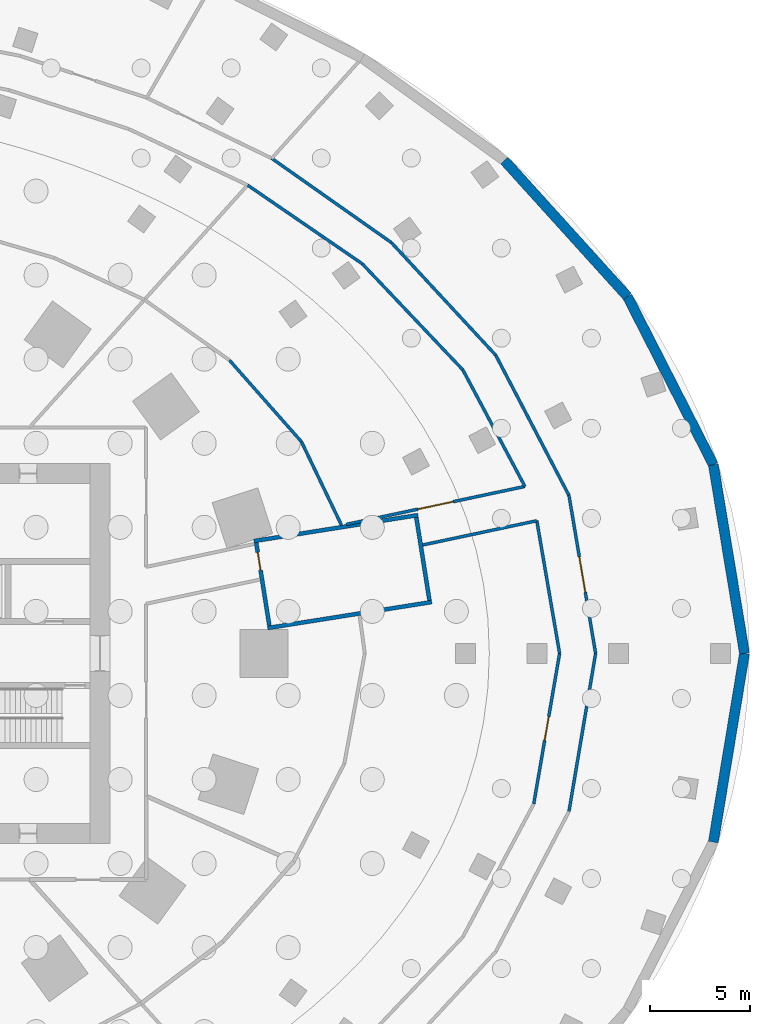
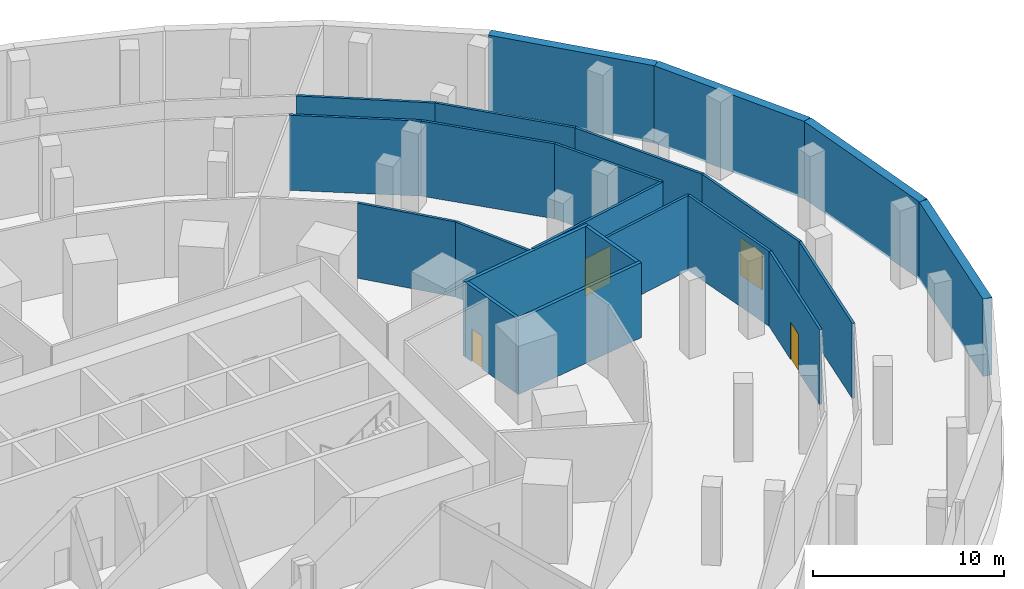
# One storey, part 8 of 11: 22 walls, 4 doors, 4 openings.
"""IFC4 building model written with IfcOpenShell, lengths in metres."""

from ifc_helpers import new_model, si_unit, direction, frame, frame_2d, origin, place, context, subcontext, project, spatial, rectangle, extrude, material, layer, layer_set, type_object, element, fill, save


model = new_model("IFC4")

# Units and contexts
model_context = context("Model", 3, precision=1e-05, world=origin(), true_north=direction((0.0, 1.0)))
body_context = subcontext(model_context, "Body", "Model", "MODEL_VIEW")
ifc_project = project(units=[si_unit("LENGTHUNIT", "METRE"), si_unit("AREAUNIT", "SQUARE_METRE"), si_unit("VOLUMEUNIT", "CUBIC_METRE"), si_unit("PLANEANGLEUNIT", "RADIAN"), si_unit("MASSUNIT", "GRAM", prefix="KILO")], contexts=[model_context])

# Site, building, storey
site_placement = place(None, origin())
site = spatial("IfcSite", under=ifc_project, at=site_placement, CompositionType="ELEMENT")
building_placement = place(site_placement, origin())
building = spatial("IfcBuilding", under=site, at=building_placement, Name="Marramba Exchange Tower", CompositionType="ELEMENT")
storey_placement = place(building_placement, frame((0.0, 0.0, -5.0)))
storey = spatial("IfcBuildingStorey", under=building, at=storey_placement, Name="B1", CompositionType="ELEMENT", Elevation=-5.0)

# Walls
ifc_material_1 = material(Name="Concrete N50", Category="concrete")
ifc_layer_1 = layer(ifc_material_1, 0.5)
ifc_layer_set_1 = layer_set([ifc_layer_1], Name="Basement retaining wall 500")
wall_type_1 = type_object("IfcWallType", Name="Basement retaining wall 500", PredefinedType="SOLIDWALL", material=ifc_layer_set_1)
wall_1_placement = place(storey_placement, frame((45.89990234375, 0.0, -0.14990234375), z_axis=(0.0, 0.0, 1.0), x_axis=(-0.162765943093, 0.98666470889, 0.0)))
element("IfcWall", 1, at=wall_1_placement, inside=storey, type_object=wall_type_1, Name="Retaining wall RW1-01", PredefinedType="SOLIDWALL", context=body_context, shape_type="SweptSolid", body=[
    extrude(rectangle(XDim=9.55322265625, YDim=0.5, at=frame_2d((4.776611328125, 0.0))), origin(), (0.0, 0.0, 1.0), 4.949951171875),
])
wall_2_placement = place(storey_placement, frame((44.344970703125, 9.42578125, -0.14990234375), z_axis=(0.0, 0.0, 1.0), x_axis=(-0.454801599968, 0.890592782739, 0.0)))
element("IfcWall", 2, at=wall_2_placement, inside=storey, type_object=wall_type_1, Name="Retaining wall RW1-02", PredefinedType="SOLIDWALL", context=body_context, shape_type="SweptSolid", body=[
    extrude(rectangle(XDim=9.439208984375, YDim=0.5, at=frame_2d((4.7197265625, 0.0))), origin(), (0.0, 0.0, 1.0), 4.949951171875),
])
wall_3_placement = place(storey_placement, frame((40.052001953125, 17.832275390625, -0.14990234375), z_axis=(0.0, 0.0, 1.0), x_axis=(-0.670913323969, 0.741535779124, 0.0)))
element("IfcWall", 3, at=wall_3_placement, inside=storey, type_object=wall_type_1, Name="Retaining wall RW1-03", PredefinedType="SOLIDWALL", context=body_context, shape_type="SweptSolid", body=[
    extrude(rectangle(XDim=9.16796875, YDim=0.5, at=frame_2d((4.583984375, 0.0))), origin(), (0.0, 0.0, 1.0), 4.949951171875),
])
wall_4_placement = place(storey_placement, frame((44.344970703125, -9.42578125, -0.14990234375), z_axis=(0.0, 0.0, 1.0), x_axis=(0.162765943093, 0.98666470889, 0.0)))
element("IfcWall", 4, at=wall_4_placement, inside=storey, type_object=wall_type_1, Name="Retaining wall RW1-30", PredefinedType="SOLIDWALL", context=body_context, shape_type="SweptSolid", body=[
    extrude(rectangle(XDim=9.55322265625, YDim=0.5, at=frame_2d((4.776611328125, 0.0))), origin(), (0.0, 0.0, 1.0), 4.949951171875),
])
ifc_material_2 = material(Name="Concrete N40", Category="concrete")
ifc_layer_2 = layer(ifc_material_2, 0.199951171875)
ifc_layer_set_2 = layer_set([ifc_layer_2], Name="Stair core wall 200 N40")
wall_type_2 = type_object("IfcWallType", Name="Stair core wall 200 N40", PredefinedType="SOLIDWALL", material=ifc_layer_set_2)
for number, where, z_axis, x_axis, name in (
    (5, (22.0732421875, 1.2685546875, 0.0), (0.0, 0.0, 1.0), (0.987684853285, 0.156456481465, 0.0), "Stair core wall ST4 B1 S"),
    (6, (21.385009765625, 5.614501953125, 0.0), (0.0, 0.0, 1.0), (0.987689398324, 0.156427786655, 0.0), "Stair core wall ST4 B1 N"),
):
    element("IfcWall", number, at=place(storey_placement, frame(where, z_axis=z_axis, x_axis=x_axis)), inside=storey, type_object=wall_type_2, Name=name, PredefinedType="SOLIDWALL", context=body_context, shape_type="SweptSolid", body=[
        extrude(rectangle(XDim=8.300048828125, YDim=0.199951171875, at=frame_2d((4.14990234375, 0.0))), origin(), (0.0, 0.0, 1.0), 4.800048828125),
    ])

# Wall, opening, door
wall_5_placement = place(storey_placement, frame((22.156494140625, 1.383056640625, 0.0), z_axis=(0.0, 0.0, 1.0), x_axis=(-0.156428225752, 0.987689328781, 0.0)))
wall_5 = element("IfcWall", 7, at=wall_5_placement, inside=storey, type_object=wall_type_2, Name="Stair core wall ST4 B1 W", PredefinedType="SOLIDWALL", context=body_context, shape_type="SweptSolid", body=[
    extrude(rectangle(XDim=4.199951171875, YDim=0.199951171875, at=frame_2d((2.10009765625, 0.0))), origin(), (0.0, 0.0, 1.0), 4.800048828125),
])
opening_1_placement = place(wall_5_placement, frame((2.81005859375, 0.0, 0.0)))
opening_1 = element("IfcOpeningElement", 8, at=opening_1_placement, cuts=wall_5, Name="Opening D5", PredefinedType="OPENING", context=body_context, shape_type="SweptSolid", body=[
    extrude(rectangle(XDim=0.89990234375, YDim=2.10009765625, at=frame_2d((0.449951171875, 1.050048828125))), frame((0.0, 0.10986328125, 0.0), z_axis=(0.0, -1.0, 0.0), x_axis=(1.0, 0.0, 0.0)), (0.0, 0.0, 1.0), 0.219970703125),
])
ifc_material_3 = material(Name="Steel-framed door", Category="steel")
door_type_1 = type_object("IfcDoorType", Name="Service door 900x2100", OperationType="SINGLE_SWING_LEFT", PredefinedType="DOOR", material=ifc_material_3)
door_1_placement = place(opening_1_placement, frame((0.89990234375, 0.0, 0.0), z_axis=(0.0, 0.0, 1.0), x_axis=(-1.0, 0.0, 0.0)))
door_1 = element("IfcDoor", 9, at=door_1_placement, inside=storey, type_object=door_type_1, Name="D5 ST4 base store B1", OperationType="SINGLE_SWING_LEFT", OverallHeight=2.10009765625, OverallWidth=0.89990234375, PredefinedType="DOOR", context=body_context, shape_type="SweptSolid", body=[
    extrude(rectangle(XDim=0.89990234375, YDim=2.10009765625, at=frame_2d((0.449951171875, 1.050048828125))), frame((0.0, 0.025146484375, 0.0), z_axis=(0.0, -1.0, 0.0), x_axis=(1.0, 0.0, 0.0)), (0.0, 0.0, 1.0), 0.050048828125),
])
fill(opening_1, door_1)

# Walls
wall_6_placement = place(storey_placement, frame((30.15673828125, 2.650146484375, 0.0), z_axis=(0.0, 0.0, 1.0), x_axis=(-0.156419245009, 0.987690751091, 0.0)))
element("IfcWall", 10, at=wall_6_placement, inside=storey, type_object=wall_type_2, Name="Stair core wall ST4 B1 E", PredefinedType="SOLIDWALL", context=body_context, shape_type="SweptSolid", body=[
    extrude(rectangle(XDim=4.2001953125, YDim=0.199951171875, at=frame_2d((2.10009765625, 0.0))), origin(), (0.0, 0.0, 1.0), 4.800048828125),
])
ifc_material_4 = material(Name="Fire-rated plasterboard on steel studs, acoustic insulation", Category="steel")
ifc_layer_3 = layer(ifc_material_4, 0.14990234375)
ifc_layer_set_3 = layer_set([ifc_layer_3], Name="Tenancy wall 150")
wall_type_3 = type_object("IfcWallType", Name="Tenancy wall 150", PredefinedType="PARTITIONING", material=ifc_layer_set_3)
wall_7_placement = place(storey_placement, frame((37.12939453125, -7.89208984375, 0.0), z_axis=(0.0, 0.0, 1.0), x_axis=(0.166248746184, 0.986083847547, 0.0)))
element("IfcWall", 11, at=wall_7_placement, inside=storey, type_object=wall_type_3, Name="Tenancy wall B1 61", PredefinedType="PARTITIONING", context=body_context, shape_type="SweptSolid", body=[
    extrude(rectangle(XDim=8.00341796875, YDim=0.14990234375, at=frame_2d((4.001708984375, 0.0))), origin(), (0.0, 0.0, 1.0), 4.800048828125),
])

# Wall, opening, door
wall_8_placement = place(storey_placement, frame((36.659912109375, 0.0, 0.0), z_axis=(0.0, 0.0, 1.0), x_axis=(-0.169280949776, -0.985567836348, 0.0)))
wall_8 = element("IfcWall", 12, at=wall_8_placement, inside=storey, type_object=wall_type_3, Name="Tenancy wall B1 62", PredefinedType="PARTITIONING", context=body_context, shape_type="SweptSolid", body=[
    extrude(rectangle(XDim=7.6279296875, YDim=0.14990234375, at=frame_2d((3.81396484375, 0.0))), origin(), (0.0, 0.0, 1.0), 4.800048828125),
])
opening_2_placement = place(wall_8_placement, frame((3.214111328125, 0.0, 0.0)))
opening_2 = element("IfcOpeningElement", 13, at=opening_2_placement, cuts=wall_8, Name="Opening D13", PredefinedType="OPENING", context=body_context, shape_type="SweptSolid", body=[
    extrude(rectangle(XDim=1.199951171875, YDim=2.39990234375, at=frame_2d((0.60009765625, 1.199951171875))), frame((0.0, 0.0849609375, 0.0), z_axis=(0.0, -1.0, 0.0), x_axis=(1.0, 0.0, 0.0)), (0.0, 0.0, 1.0), 0.169921875),
])
door_type_2 = type_object("IfcDoorType", Name="Tenancy entry door 1200x2400", OperationType="SINGLE_SWING_LEFT", PredefinedType="DOOR", material=ifc_material_3)
door_2_placement = place(opening_2_placement, origin())
door_2 = element("IfcDoor", 14, at=door_2_placement, inside=storey, type_object=door_type_2, Name="D13 Tenant Storage 4 B1", OperationType="SINGLE_SWING_LEFT", OverallHeight=2.39990234375, OverallWidth=1.199951171875, PredefinedType="DOOR", context=body_context, shape_type="SweptSolid", body=[
    extrude(rectangle(XDim=1.199951171875, YDim=2.39990234375, at=frame_2d((0.60009765625, 1.199951171875))), frame((0.0, 0.02490234375, 0.0), z_axis=(0.0, -1.0, 0.0), x_axis=(1.0, 0.0, 0.0)), (0.0, 0.0, 1.0), 0.050048828125),
])
fill(opening_2, door_2)

# Wall
wall_9_placement = place(storey_placement, frame((35.521240234375, 6.630126953125, 0.0), z_axis=(0.0, 0.0, 1.0), x_axis=(0.16926398277, -0.985570750447, 0.0)))
element("IfcWall", 15, at=wall_9_placement, inside=storey, type_object=wall_type_3, Name="Tenancy wall B1 65", PredefinedType="PARTITIONING", context=body_context, shape_type="SweptSolid", body=[
    extrude(rectangle(XDim=6.727294921875, YDim=0.14990234375, at=frame_2d((3.36376953125, 0.0))), origin(), (0.0, 0.0, 1.0), 4.800048828125),
])

# Wall, opening, door
wall_10_placement = place(storey_placement, frame((38.4599609375, 0.0, 0.0), z_axis=(0.0, 0.0, 1.0), x_axis=(-0.166248746184, 0.986083847547, 0.0)))
wall_10 = element("IfcWall", 16, at=wall_10_placement, inside=storey, type_object=wall_type_3, Name="Tenancy wall B1 66", PredefinedType="PARTITIONING", context=body_context, shape_type="SweptSolid", body=[
    extrude(rectangle(XDim=8.00341796875, YDim=0.14990234375, at=frame_2d((4.001708984375, 0.0))), origin(), (0.0, 0.0, 1.0), 4.800048828125),
])
opening_3_placement = place(wall_10_placement, frame((3.10205078125, 0.0, 0.0)))
opening_3 = element("IfcOpeningElement", 17, at=opening_3_placement, cuts=wall_10, Name="Opening D18", PredefinedType="OPENING", context=body_context, shape_type="SweptSolid", body=[
    extrude(rectangle(XDim=1.800048828125, YDim=2.39990234375, at=frame_2d((0.89990234375, 1.199951171875))), frame((0.0, 0.0849609375, 0.0), z_axis=(0.0, -1.0, 0.0), x_axis=(1.0, 0.0, 0.0)), (0.0, 0.0, 1.0), 0.169921875),
])
door_type_3 = type_object("IfcDoorType", Name="Door pair 1800x2400", OperationType="DOUBLE_DOOR_SINGLE_SWING", PredefinedType="DOOR", material=ifc_material_3)
door_3_placement = place(opening_3_placement, origin())
door_3 = element("IfcDoor", 18, at=door_3_placement, inside=storey, type_object=door_type_3, Name="D18 Bicycle Store B1", OperationType="DOUBLE_DOOR_SINGLE_SWING", OverallHeight=2.39990234375, OverallWidth=1.800048828125, PredefinedType="DOOR", context=body_context, shape_type="SweptSolid", body=[
    extrude(rectangle(XDim=1.800048828125, YDim=2.39990234375, at=frame_2d((0.89990234375, 1.199951171875))), frame((0.0, 0.02490234375, 0.0), z_axis=(0.0, -1.0, 0.0), x_axis=(1.0, 0.0, 0.0)), (0.0, 0.0, 1.0), 0.050048828125),
])
fill(opening_3, door_3)

# Wall
wall_11_placement = place(storey_placement, frame((29.819580078125, 5.418212890625, 0.0), z_axis=(0.0, 0.0, 1.0), x_axis=(0.97814799205, 0.207909849813, 0.0)))
element("IfcWall", 19, at=wall_11_placement, inside=storey, type_object=wall_type_3, Name="Tenancy wall B1 68", PredefinedType="PARTITIONING", context=body_context, shape_type="SweptSolid", body=[
    extrude(rectangle(XDim=5.8291015625, YDim=0.14990234375, at=frame_2d((2.91455078125, 0.0))), origin(), (0.0, 0.0, 1.0), 4.800048828125),
])

# Wall, opening, door
wall_12_placement = place(storey_placement, frame((34.92822265625, 8.344482421875, 0.0), z_axis=(0.0, 0.0, 1.0), x_axis=(-0.978145998804, -0.207919227161, 0.0)))
wall_12 = element("IfcWall", 20, at=wall_12_placement, inside=storey, type_object=wall_type_3, Name="Tenancy wall B1 69", PredefinedType="PARTITIONING", context=body_context, shape_type="SweptSolid", body=[
    extrude(rectangle(XDim=9.1259765625, YDim=0.14990234375, at=frame_2d((4.56298828125, 0.0))), origin(), (0.0, 0.0, 1.0), 4.800048828125),
])
opening_4_placement = place(wall_12_placement, frame((3.6630859375, 0.0, 0.0)))
opening_4 = element("IfcOpeningElement", 21, at=opening_4_placement, cuts=wall_12, Name="Opening D18", PredefinedType="OPENING", context=body_context, shape_type="SweptSolid", body=[
    extrude(rectangle(XDim=1.800048828125, YDim=2.39990234375, at=frame_2d((0.89990234375, 1.199951171875))), frame((0.0, 0.0849609375, 0.0), z_axis=(0.0, -1.0, 0.0), x_axis=(1.0, 0.0, 0.0)), (0.0, 0.0, 1.0), 0.169921875),
])
door_4_placement = place(opening_4_placement, origin())
door_4 = element("IfcDoor", 22, at=door_4_placement, inside=storey, type_object=door_type_3, Name="D18 Fire Water Tank Room 1 B1", OperationType="DOUBLE_DOOR_SINGLE_SWING", OverallHeight=2.39990234375, OverallWidth=1.800048828125, PredefinedType="DOOR", context=body_context, shape_type="SweptSolid", body=[
    extrude(rectangle(XDim=1.800048828125, YDim=2.39990234375, at=frame_2d((0.89990234375, 1.199951171875))), frame((0.0, 0.02490234375, 0.0), z_axis=(0.0, -1.0, 0.0), x_axis=(1.0, 0.0, 0.0)), (0.0, 0.0, 1.0), 0.050048828125),
])
fill(opening_4, door_4)

# Walls
wall_13_placement = place(storey_placement, frame((37.12939453125, 7.89208984375, 0.0), z_axis=(0.0, 0.0, 1.0), x_axis=(-0.462902565911, 0.886409168766, 0.0)))
element("IfcWall", 23, at=wall_13_placement, inside=storey, type_object=wall_type_3, Name="Tenancy wall B1 71", PredefinedType="PARTITIONING", context=body_context, shape_type="SweptSolid", body=[
    extrude(rectangle(XDim=7.907470703125, YDim=0.14990234375, at=frame_2d((3.95361328125, 0.0))), origin(), (0.0, 0.0, 1.0), 4.800048828125),
])
wall_14_placement = place(storey_placement, frame((31.82470703125, 14.169189453125, 0.0), z_axis=(0.0, 0.0, 1.0), x_axis=(0.470234923121, -0.882541283497, 0.0)))
element("IfcWall", 24, at=wall_14_placement, inside=storey, type_object=wall_type_3, Name="Tenancy wall B1 72", PredefinedType="PARTITIONING", context=body_context, shape_type="SweptSolid", body=[
    extrude(rectangle(XDim=6.599853515625, YDim=0.14990234375, at=frame_2d((3.2998046875, 0.0))), origin(), (0.0, 0.0, 1.0), 4.800048828125),
])
wall_15_placement = place(storey_placement, frame((23.759765625, 10.57861328125, 0.0), z_axis=(0.0, 0.0, 1.0), x_axis=(0.432478788048, -0.90164410822, 0.0)))
element("IfcWall", 25, at=wall_15_placement, inside=storey, type_object=wall_type_3, Name="Tenancy wall B1 73", PredefinedType="PARTITIONING", context=body_context, shape_type="SweptSolid", body=[
    extrude(rectangle(XDim=4.625, YDim=0.14990234375, at=frame_2d((2.3125, 0.0))), origin(), (0.0, 0.0, 1.0), 4.800048828125),
])
wall_16_placement = place(storey_placement, frame((26.798828125, 19.470458984375, 0.0), z_axis=(0.0, 0.0, 1.0), x_axis=(0.688006019466, -0.725704979436, 0.0)))
element("IfcWall", 26, at=wall_16_placement, inside=storey, type_object=wall_type_3, Name="Tenancy wall B1 75", PredefinedType="PARTITIONING", context=body_context, shape_type="SweptSolid", body=[
    extrude(rectangle(XDim=7.304931640625, YDim=0.14990234375, at=frame_2d((3.65234375, 0.0))), origin(), (0.0, 0.0, 1.0), 4.800048828125),
])
wall_17_placement = place(storey_placement, frame((33.468994140625, 14.9013671875, 0.0), z_axis=(0.0, 0.0, 1.0), x_axis=(-0.679653590843, 0.733533227914, 0.0)))
element("IfcWall", 27, at=wall_17_placement, inside=storey, type_object=wall_type_3, Name="Tenancy wall B1 76", PredefinedType="PARTITIONING", context=body_context, shape_type="SweptSolid", body=[
    extrude(rectangle(XDim=7.67138671875, YDim=0.14990234375, at=frame_2d((3.835693359375, 0.0))), origin(), (0.0, 0.0, 1.0), 4.800048828125),
])
wall_18_placement = place(storey_placement, frame((20.1640625, 14.64990234375, 0.0), z_axis=(0.0, 0.0, 1.0), x_axis=(0.661972392396, -0.749528219419, 0.0)))
element("IfcWall", 28, at=wall_18_placement, inside=storey, type_object=wall_type_3, Name="Tenancy wall B1 77", PredefinedType="PARTITIONING", context=body_context, shape_type="SweptSolid", body=[
    extrude(rectangle(XDim=5.431884765625, YDim=0.14990234375, at=frame_2d((2.7158203125, 0.0))), origin(), (0.0, 0.0, 1.0), 4.800048828125),
])
wall_19_placement = place(storey_placement, frame((21.070068359375, 23.400634765625, 0.0), z_axis=(0.0, 0.0, 1.0), x_axis=(0.824602390989, -0.565712733439, 0.0)))
element("IfcWall", 29, at=wall_19_placement, inside=storey, type_object=wall_type_3, Name="Tenancy wall B1 78", PredefinedType="PARTITIONING", context=body_context, shape_type="SweptSolid", body=[
    extrude(rectangle(XDim=6.947265625, YDim=0.14990234375, at=frame_2d((3.4736328125, 0.0))), origin(), (0.0, 0.0, 1.0), 4.800048828125),
])
wall_20_placement = place(storey_placement, frame((28.255126953125, 20.528564453125, 0.0), z_axis=(0.0, 0.0, 1.0), x_axis=(-0.817737752459, 0.575590973003, 0.0)))
element("IfcWall", 30, at=wall_20_placement, inside=storey, type_object=wall_type_3, Name="Tenancy wall B1 79", PredefinedType="PARTITIONING", context=body_context, shape_type="SweptSolid", body=[
    extrude(rectangle(XDim=7.313720703125, YDim=0.14990234375, at=frame_2d((3.65673828125, 0.0))), origin(), (0.0, 0.0, 1.0), 4.800048828125),
])

save(model, "model.ifc")
